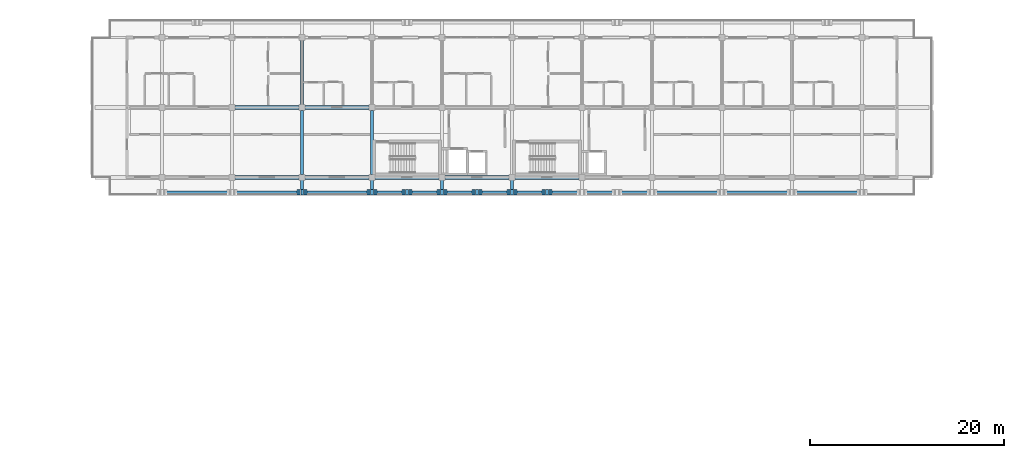
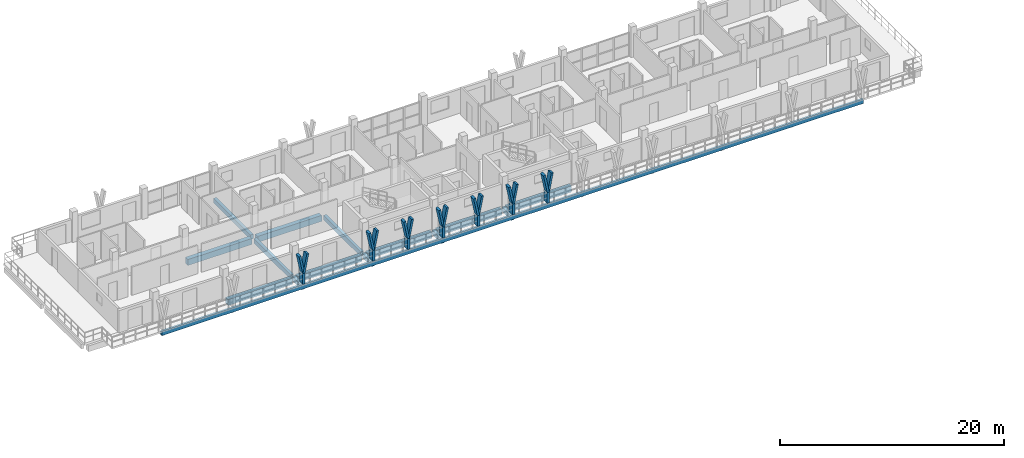
# One storey, part 7 of 60: 21 members, 15 beams.
"""IFC4 building model written with IfcOpenShell, lengths in metres."""

from ifc_helpers import new_model, si_unit, direction, frame, origin, origin_2d, place, context, subcontext, project, spatial, rectangle, extrude, material, material_profile, profile_set, type_object, element, save


model = new_model("IFC4")

# Units and contexts
model_context = context("Model", 3, precision=1e-05, world=origin(), true_north=direction((0.0, 1.0)))
body_context = subcontext(model_context, "Body", "Model", "MODEL_VIEW")
ifc_project = project(units=[si_unit("LENGTHUNIT", "METRE"), si_unit("AREAUNIT", "SQUARE_METRE"), si_unit("VOLUMEUNIT", "CUBIC_METRE"), si_unit("PLANEANGLEUNIT", "RADIAN"), si_unit("MASSUNIT", "GRAM", prefix="KILO")], contexts=[model_context])

# Site, building, storey
site_placement = place(None, origin())
site = spatial("IfcSite", under=ifc_project, at=site_placement, CompositionType="ELEMENT")
building_placement = place(site_placement, origin())
building = spatial("IfcBuilding", under=site, at=building_placement, Name="Suanplinth Sawtooth Commons", CompositionType="ELEMENT")
storey_placement = place(building_placement, frame((0.0, 0.0, 31.5)))
storey = spatial("IfcBuildingStorey", under=building, at=storey_placement, Name="L09", CompositionType="ELEMENT", Elevation=31.5)

# Beams
ifc_material_1 = material(Name="Precast concrete C40/50", Category="concrete")
ifc_material_profile_1 = material_profile(ifc_material_1, rectangle(XDim=0.449951171875, YDim=0.64990234375, at=origin_2d()), Name="PC-GDR 450x650")
ifc_profile_set_1 = profile_set([ifc_material_profile_1], Name="Precast concrete C40/50")
beam_type_1 = type_object("IfcBeamType", Name="B-04", PredefinedType="USERDEFINED", material=ifc_profile_set_1)
for number, where, z_axis, x_axis, name in (
    (1, (29.10009765625, 108.0, -0.574951171875), (1.0, 0.0, 0.0), (0.0, 1.0, 0.0), "BMX-L09-A-4-15"),
    (2, (29.10009765625, 115.199951171875, -0.574951171875), (1.0, 0.0, 0.0), (0.0, 1.0, 0.0), "BMX-L09-A-4-16"),
    (3, (36.300048828125, 108.0, -0.574951171875), (1.0, 0.0, 0.0), (0.0, 1.0, 0.0), "BMX-L09-A-5-15"),
    (4, (36.300048828125, 115.199951171875, -0.574951171875), (1.0, 0.0, 0.0), (0.0, 1.0, 0.0), "BMX-L09-A-5-16"),
):
    element("IfcBeam", number, at=place(storey_placement, frame(where, z_axis=z_axis, x_axis=x_axis)), inside=storey, type_object=beam_type_1, Name=name, ObjectType="GIRDER", PredefinedType="USERDEFINED", context=body_context, shape_type="SweptSolid", body=[
        extrude(rectangle(XDim=0.449951171875, YDim=0.64990234375, at=origin_2d()), origin(), (0.0, 0.0, 1.0), 6.599853515625),
    ])
for number, where, z_axis, x_axis, name in (
    (5, (43.5, 108.0, -0.574951171875), (1.0, 0.0, 0.0), (0.0, 1.0, 0.0), "BMX-L09-A-6-15"),
    (6, (50.699951171875, 108.0, -0.574951171875), (1.0, 0.0, 0.0), (0.0, 1.0, 0.0), "BMX-L09-A-7-15"),
    (7, (57.89990234375, 108.0, -0.574951171875), (1.0, 0.0, 0.0), (0.0, 1.0, 0.0), "BMX-L09-A-8-15"),
):
    element("IfcBeam", number, at=place(storey_placement, frame(where, z_axis=z_axis, x_axis=x_axis)), inside=storey, type_object=beam_type_1, Name=name, ObjectType="GIRDER", PredefinedType="USERDEFINED", context=body_context, shape_type="SweptSolid", body=[
        extrude(rectangle(XDim=0.449951171875, YDim=0.64990234375, at=origin_2d()), origin(), (0.0, 0.0, 1.0), 6.60009765625),
    ])
ifc_material_profile_2 = material_profile(ifc_material_1, rectangle(XDim=0.300048828125, YDim=0.5, at=origin_2d()), Name="PC-BM 300x500")
ifc_profile_set_2 = profile_set([ifc_material_profile_2], Name="Precast concrete C40/50")
beam_type_2 = type_object("IfcBeamType", Name="B-07", PredefinedType="BEAM", material=ifc_profile_set_2)
beam_1_placement = place(storey_placement, frame((36.0, 108.300048828125, -0.5), z_axis=(0.0, 1.0, 0.0), x_axis=(-1.0, 0.0, 0.0)))
element("IfcBeam", 8, at=beam_1_placement, inside=storey, type_object=beam_type_2, Name="BMY-L09-A-5-15", PredefinedType="BEAM", context=body_context, shape_type="SweptSolid", body=[
    extrude(rectangle(XDim=0.300048828125, YDim=0.5, at=origin_2d()), origin(), (0.0, 0.0, 1.0), 6.599853515625),
])
beam_2_placement = place(storey_placement, frame((36.0, 115.5, -0.5), z_axis=(0.0, 1.0, 0.0), x_axis=(-1.0, 0.0, 0.0)))
element("IfcBeam", 9, at=beam_2_placement, inside=storey, type_object=beam_type_2, Name="BMY-L09-A-5-16", PredefinedType="BEAM", context=body_context, shape_type="SweptSolid", body=[
    extrude(rectangle(XDim=0.300048828125, YDim=0.5, at=origin_2d()), origin(), (0.0, 0.0, 1.0), 6.60009765625),
])
beam_3_placement = place(storey_placement, frame((43.199951171875, 108.300048828125, -0.5), z_axis=(0.0, 1.0, 0.0), x_axis=(-1.0, 0.0, 0.0)))
element("IfcBeam", 10, at=beam_3_placement, inside=storey, type_object=beam_type_2, Name="BMY-L09-A-6-15", PredefinedType="BEAM", context=body_context, shape_type="SweptSolid", body=[
    extrude(rectangle(XDim=0.300048828125, YDim=0.5, at=origin_2d()), origin(), (0.0, 0.0, 1.0), 6.599853515625),
])
for number, where, z_axis, x_axis, name in (
    (11, (36.0, 108.0, -0.429931640625), (0.0, -1.0, 0.0), (1.0, 0.0, 0.0), "Balcony Outrigger L09-A-S-5"),
    (12, (43.199951171875, 108.0, -0.429931640625), (0.0, -1.0, 0.0), (1.0, 0.0, 0.0), "Balcony Outrigger L09-A-S-6"),
    (13, (50.39990234375, 108.0, -0.429931640625), (0.0, -1.0, 0.0), (1.0, 0.0, 0.0), "Balcony Outrigger L09-A-S-7"),
    (14, (57.60009765625, 108.0, -0.429931640625), (0.0, -1.0, 0.0), (1.0, 0.0, 0.0), "Balcony Outrigger L09-A-S-8"),
):
    element("IfcBeam", number, at=place(storey_placement, frame(where, z_axis=z_axis, x_axis=x_axis)), inside=storey, type_object=beam_type_2, Name=name, PredefinedType="BEAM", context=body_context, shape_type="SweptSolid", body=[
        extrude(rectangle(XDim=0.300048828125, YDim=0.5, at=origin_2d()), origin(), (0.0, 0.0, 1.0), 1.639892578125),
    ])
ifc_material_profile_3 = material_profile(ifc_material_1, rectangle(XDim=0.25, YDim=0.449951171875, at=origin_2d()), Name="PC-SP 250x450")
ifc_profile_set_3 = profile_set([ifc_material_profile_3], Name="Precast concrete C40/50")
beam_type_3 = type_object("IfcBeamType", Name="B-09", PredefinedType="SPANDREL", material=ifc_profile_set_3)
beam_4_placement = place(storey_placement, frame((21.449951171875, 106.47998046875, -0.405029296875), z_axis=(1.0, 0.0, 0.0), x_axis=(0.0, 1.0, 0.0)))
element("IfcBeam", 15, at=beam_4_placement, inside=storey, type_object=beam_type_3, Name="Balcony Edge Fascia L09-A-S", PredefinedType="SPANDREL", context=body_context, shape_type="SweptSolid", body=[
    extrude(rectangle(XDim=0.25, YDim=0.449951171875, at=origin_2d()), origin(), (0.0, 0.0, 1.0), 72.300048828125),
])

# Members
ifc_material_2 = material(Name="Pigmented precast concrete C40/50", Category="concrete")
ifc_material_profile_4 = material_profile(ifc_material_2, rectangle(XDim=0.260009765625, YDim=0.550048828125, at=origin_2d()), Name="PC-FIN 260x550")
ifc_profile_set_4 = profile_set([ifc_material_profile_4], Name="Pigmented precast concrete C40/50")
member_type_1 = type_object("IfcMemberType", Name="M-09", PredefinedType="USERDEFINED", material=ifc_profile_set_4)
for number, where, z_axis, x_axis, name in (
    (16, (36.0, 106.47998046875, 0.0), (0.0, 0.0, 1.0), (1.0, 0.0, 0.0), "Y-Blade Stem L09-A-S-07"),
    (17, (43.199951171875, 106.47998046875, 0.0), (0.0, 0.0, 1.0), (1.0, 0.0, 0.0), "Y-Blade Stem L09-A-S-08"),
    (18, (46.800048828125, 106.47998046875, 0.0), (0.0, 0.0, 1.0), (1.0, 0.0, 0.0), "Y-Blade Stem L09-A-S-09"),
    (19, (50.39990234375, 106.47998046875, 0.0), (0.0, 0.0, 1.0), (1.0, 0.0, 0.0), "Y-Blade Stem L09-A-S-10"),
    (20, (54.0, 106.47998046875, 0.0), (0.0, 0.0, 1.0), (1.0, 0.0, 0.0), "Y-Blade Stem L09-A-S-11"),
    (21, (57.60009765625, 106.47998046875, 0.0), (0.0, 0.0, 1.0), (1.0, 0.0, 0.0), "Y-Blade Stem L09-A-S-12"),
    (22, (61.199951171875, 106.47998046875, 0.0), (0.0, 0.0, 1.0), (1.0, 0.0, 0.0), "Y-Blade Stem L09-A-S-13"),
):
    element("IfcMember", number, at=place(storey_placement, frame(where, z_axis=z_axis, x_axis=x_axis)), inside=storey, type_object=member_type_1, Name=name, ObjectType="SHADING FIN", PredefinedType="USERDEFINED", context=body_context, shape_type="SweptSolid", body=[
        extrude(rectangle(XDim=0.260009765625, YDim=0.550048828125, at=origin_2d()), origin(), (0.0, 0.0, 1.0), 1.169921875),
    ])
ifc_material_profile_5 = material_profile(ifc_material_2, rectangle(XDim=0.219970703125, YDim=0.550048828125, at=origin_2d()), Name="PC-FIN 220x550")
ifc_profile_set_5 = profile_set([ifc_material_profile_5], Name="Pigmented precast concrete C40/50")
member_type_2 = type_object("IfcMemberType", Name="M-10", PredefinedType="USERDEFINED", material=ifc_profile_set_5)
for number, where, z_axis, x_axis, name in (
    (23, (36.0, 106.47998046875, 1.1298828125), (-0.196530428008, 0.0, 0.98049772609), (0.98049772609, 0.0, 0.196530428008), "Y-Blade Arm L L09-A-S-07"),
    (24, (36.0, 106.47998046875, 1.1298828125), (0.196530428008, 0.0, 0.98049772609), (-0.98049772609, 0.0, 0.196530428008), "Y-Blade Arm R L09-A-S-07"),
    (25, (43.199951171875, 106.47998046875, 1.1298828125), (-0.196415357203, 0.0, 0.980520783795), (0.980520783795, 0.0, 0.196415357203), "Y-Blade Arm L L09-A-S-08"),
    (26, (43.199951171875, 106.47998046875, 1.1298828125), (0.196530428008, 0.0, 0.98049772609), (-0.98049772609, 0.0, 0.196530428008), "Y-Blade Arm R L09-A-S-08"),
    (27, (46.800048828125, 106.47998046875, 1.1298828125), (-0.196530428008, 0.0, 0.98049772609), (0.98049772609, 0.0, 0.196530428008), "Y-Blade Arm L L09-A-S-09"),
    (28, (46.800048828125, 106.47998046875, 1.1298828125), (0.196415357203, 0.0, 0.980520783795), (-0.980520783795, 0.0, 0.196415357203), "Y-Blade Arm R L09-A-S-09"),
    (29, (50.39990234375, 106.47998046875, 1.1298828125), (-0.196415357203, 0.0, 0.980520783795), (0.980520783795, 0.0, 0.196415357203), "Y-Blade Arm L L09-A-S-10"),
    (30, (50.39990234375, 106.47998046875, 1.1298828125), (0.196530428008, 0.0, 0.98049772609), (-0.98049772609, 0.0, 0.196530428008), "Y-Blade Arm R L09-A-S-10"),
    (31, (54.0, 106.47998046875, 1.1298828125), (-0.196530428008, 0.0, 0.98049772609), (0.98049772609, 0.0, 0.196530428008), "Y-Blade Arm L L09-A-S-11"),
    (32, (54.0, 106.47998046875, 1.1298828125), (0.196530428008, 0.0, 0.98049772609), (-0.98049772609, 0.0, 0.196530428008), "Y-Blade Arm R L09-A-S-11"),
    (33, (57.60009765625, 106.47998046875, 1.1298828125), (-0.196530428008, 0.0, 0.98049772609), (0.98049772609, 0.0, 0.196530428008), "Y-Blade Arm L L09-A-S-12"),
    (34, (57.60009765625, 106.47998046875, 1.1298828125), (0.196415357203, 0.0, 0.980520783795), (-0.980520783795, 0.0, 0.196415357203), "Y-Blade Arm R L09-A-S-12"),
    (35, (61.199951171875, 106.47998046875, 1.1298828125), (-0.196415357203, 0.0, 0.980520783795), (0.980520783795, 0.0, 0.196415357203), "Y-Blade Arm L L09-A-S-13"),
    (36, (61.199951171875, 106.47998046875, 1.1298828125), (0.196530428008, 0.0, 0.98049772609), (-0.98049772609, 0.0, 0.196530428008), "Y-Blade Arm R L09-A-S-13"),
):
    element("IfcMember", number, at=place(storey_placement, frame(where, z_axis=z_axis, x_axis=x_axis)), inside=storey, type_object=member_type_2, Name=name, ObjectType="SHADING FIN", PredefinedType="USERDEFINED", context=body_context, shape_type="SweptSolid", body=[
        extrude(rectangle(XDim=0.219970703125, YDim=0.550048828125, at=origin_2d()), origin(), (0.0, 0.0, 1.0), 2.039794921875),
    ])

save(model, "model.ifc")
